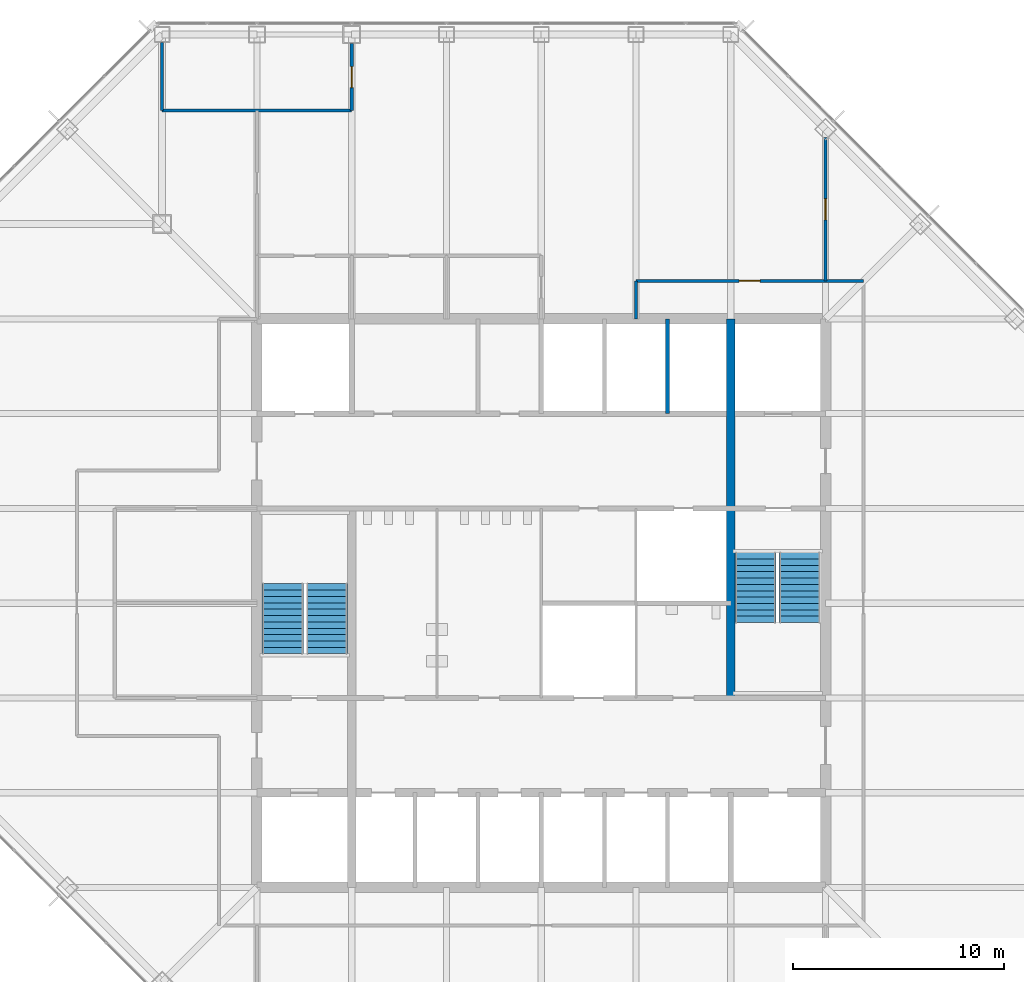
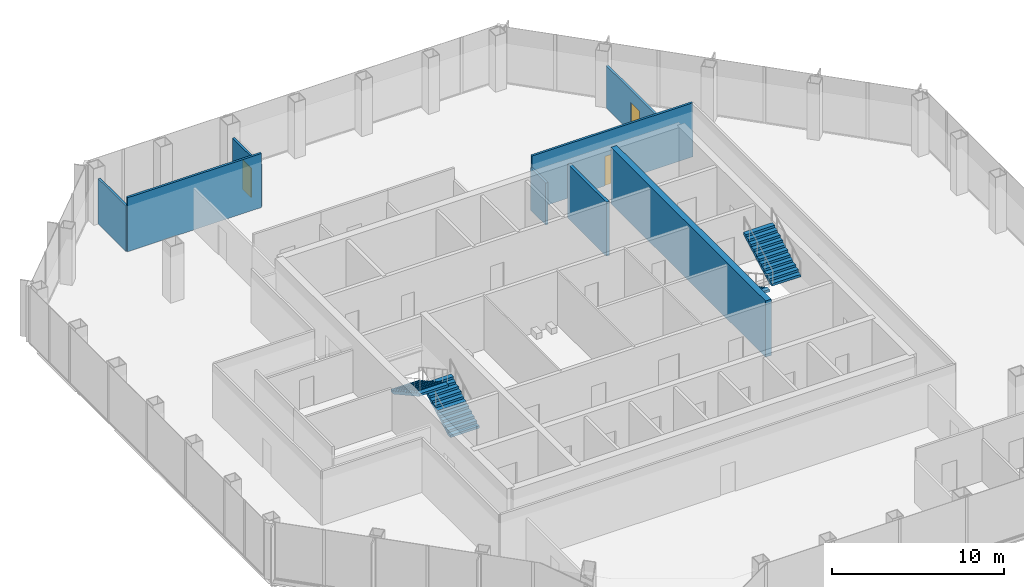
# One storey, part 10 of 12: 8 walls, 4 stair flights, 3 doors, 3 openings, 2 elements without a shape of their own.
"""IFC4 building model written with IfcOpenShell, lengths in metres."""

from ifc_helpers import new_model, si_unit, direction, frame, frame_2d, origin, place, context, subcontext, project, spatial, polyline, rectangle, outline, extrude, material, layer, layer_set, type_object, element, fill, aggregate, save


model = new_model("IFC4")

# Units and contexts
model_context = context("Model", 3, precision=1e-05, world=origin(), true_north=direction((0.0, 1.0)))
body_context = subcontext(model_context, "Body", "Model", "MODEL_VIEW")
ifc_project = project(units=[si_unit("LENGTHUNIT", "METRE"), si_unit("AREAUNIT", "SQUARE_METRE"), si_unit("VOLUMEUNIT", "CUBIC_METRE"), si_unit("PLANEANGLEUNIT", "RADIAN"), si_unit("MASSUNIT", "GRAM", prefix="KILO")], contexts=[model_context])

# Site, building, storey
site_placement = place(None, origin())
site = spatial("IfcSite", under=ifc_project, at=site_placement, CompositionType="ELEMENT")
building_placement = place(site_placement, origin())
building = spatial("IfcBuilding", under=site, at=building_placement, Name="Corais Broadcast Tower", CompositionType="ELEMENT")
storey_placement = place(building_placement, frame((0.0, 0.0, 131.60009765625)))
storey = spatial("IfcBuildingStorey", under=building, at=storey_placement, Name="L29", CompositionType="ELEMENT", Elevation=131.60009765625)

# Wall
ifc_material_1 = material(Name="Concrete C50/60", Category="concrete")
ifc_layer_1 = layer(ifc_material_1, 0.39990234375)
ifc_layer_set_1 = layer_set([ifc_layer_1], Name="Concrete C50/60")
wall_type_1 = type_object("IfcWallType", Name="Core wall 400", PredefinedType="SHEAR", material=ifc_layer_set_1)
wall_1_placement = place(storey_placement, frame((36.0, 22.5, 0.0), z_axis=(0.0, 0.0, 1.0), x_axis=(0.0, 1.0, 0.0)))
element("IfcWall", 1, at=wall_1_placement, inside=storey, type_object=wall_type_1, Name="CR400 core wall X36B L29", PredefinedType="SHEAR", context=body_context, shape_type="SweptSolid", body=[
    extrude(rectangle(XDim=18.0, YDim=0.39990234375, at=frame_2d((9.0, 0.0))), origin(), (0.0, 0.0, 1.0), 4.0),
])

# Wall, opening, door
ifc_material_2 = material(Name="Gypsum board on steel studs", Category="steel")
ifc_layer_2 = layer(ifc_material_2, 0.14990234375)
ifc_layer_set_2 = layer_set([ifc_layer_2], Name="Gypsum board on steel studs")
wall_type_2 = type_object("IfcWallType", Name="Partition 150", PredefinedType="PARTITIONING", material=ifc_layer_set_2)
wall_2_placement = place(storey_placement, frame((42.300048828125, 42.300048828125, 0.0), z_axis=(0.0, 0.0, 1.0), x_axis=(-1.0, 0.0, 0.0)))
wall_2 = element("IfcWall", 2, at=wall_2_placement, inside=storey, type_object=wall_type_2, Name="IW3 corridor wall L29", PredefinedType="PARTITIONING", context=body_context, shape_type="SweptSolid", body=[
    extrude(rectangle(XDim=10.800048828125, YDim=0.14990234375, at=frame_2d((5.39990234375, 0.0))), origin(), (0.0, 0.0, 1.0), 3.83984375),
])
opening_1_placement = place(wall_2_placement, frame((4.89990234375, 0.0, 0.0)))
opening_1 = element("IfcOpeningElement", 3, at=opening_1_placement, cuts=wall_2, Name="Opening D1", PredefinedType="OPENING", context=body_context, shape_type="SweptSolid", body=[
    extrude(rectangle(XDim=1.0, YDim=2.10009765625, at=frame_2d((0.5, 1.050048828125))), frame((0.0, 0.0849609375, 0.0), z_axis=(0.0, -1.0, 0.0), x_axis=(1.0, 0.0, 0.0)), (0.0, 0.0, 1.0), 0.169921875),
])
ifc_material_3 = material(Name="Timber door", Category="wood")
door_type = type_object("IfcDoorType", Name="Single door 1000x2100", OperationType="SINGLE_SWING_LEFT", PredefinedType="DOOR", material=ifc_material_3)
door_1_placement = place(opening_1_placement, origin())
door_1 = element("IfcDoor", 4, at=door_1_placement, inside=storey, type_object=door_type, Name="D1 workplace door L29", OperationType="SINGLE_SWING_LEFT", OverallHeight=2.10009765625, OverallWidth=1.0, PredefinedType="DOOR", context=body_context, shape_type="SweptSolid", body=[
    extrude(rectangle(XDim=1.0, YDim=2.10009765625, at=frame_2d((0.5, 1.050048828125))), frame((0.0, 0.02490234375, 0.0), z_axis=(0.0, -1.0, 0.0), x_axis=(1.0, 0.0, 0.0)), (0.0, 0.0, 1.0), 0.050048828125),
])
fill(opening_1, door_1)

# Walls
wall_3_placement = place(storey_placement, frame((31.5, 42.300048828125, 0.0), z_axis=(0.0, 0.0, 1.0), x_axis=(0.0, -1.0, 0.0)))
element("IfcWall", 5, at=wall_3_placement, inside=storey, type_object=wall_type_2, Name="IW3 corridor wall L29", PredefinedType="PARTITIONING", context=body_context, shape_type="SweptSolid", body=[
    extrude(rectangle(XDim=1.800048828125, YDim=0.14990234375, at=frame_2d((0.89990234375, 0.0))), origin(), (0.0, 0.0, 1.0), 2.989013671875),
])
wall_4_placement = place(storey_placement, frame((9.0, 50.39990234375, 0.0), z_axis=(0.0, 0.0, 1.0), x_axis=(1.0, 0.0, 0.0)))
element("IfcWall", 6, at=wall_4_placement, inside=storey, type_object=wall_type_2, Name="IW3 partition L29", PredefinedType="PARTITIONING", context=body_context, shape_type="SweptSolid", body=[
    extrude(rectangle(XDim=9.0, YDim=0.14990234375, at=frame_2d((4.5, 0.0))), origin(), (0.0, 0.0, 1.0), 3.83984375),
])

# Wall, opening, door
wall_5_placement = place(storey_placement, frame((18.0, 50.39990234375, 0.0), z_axis=(0.0, 0.0, 1.0), x_axis=(0.0, 1.0, 0.0)))
wall_5 = element("IfcWall", 7, at=wall_5_placement, inside=storey, type_object=wall_type_2, Name="IW3 partition L29", PredefinedType="PARTITIONING", context=body_context, shape_type="SweptSolid", body=[
    extrude(rectangle(XDim=3.1650390625, YDim=0.14990234375, at=frame_2d((1.58251953125, 0.0))), origin(), (0.0, 0.0, 1.0), 2.989013671875),
])
opening_2_placement = place(wall_5_placement, frame((1.08251953125, 0.0, 0.0)))
opening_2 = element("IfcOpeningElement", 8, at=opening_2_placement, cuts=wall_5, Name="Opening D1", PredefinedType="OPENING", context=body_context, shape_type="SweptSolid", body=[
    extrude(rectangle(XDim=1.0, YDim=2.10009765625, at=frame_2d((0.5, 1.050048828125))), frame((0.0, 0.0849609375, 0.0), z_axis=(0.0, -1.0, 0.0), x_axis=(1.0, 0.0, 0.0)), (0.0, 0.0, 1.0), 0.169921875),
])
door_2_placement = place(opening_2_placement, origin())
door_2 = element("IfcDoor", 9, at=door_2_placement, inside=storey, type_object=door_type, Name="D1 Pantry door", OperationType="SINGLE_SWING_LEFT", OverallHeight=2.10009765625, OverallWidth=1.0, PredefinedType="DOOR", context=body_context, shape_type="SweptSolid", body=[
    extrude(rectangle(XDim=1.0, YDim=2.10009765625, at=frame_2d((0.5, 1.050048828125))), frame((0.0, 0.02490234375, 0.0), z_axis=(0.0, -1.0, 0.0), x_axis=(1.0, 0.0, 0.0)), (0.0, 0.0, 1.0), 0.050048828125),
])
fill(opening_2, door_2)

# Wall
wall_6_placement = place(storey_placement, frame((9.0, 53.614990234375, 0.0), z_axis=(0.0, 0.0, 1.0), x_axis=(0.0, -1.0, 0.0)))
element("IfcWall", 10, at=wall_6_placement, inside=storey, type_object=wall_type_2, Name="IW3 partition L29", PredefinedType="PARTITIONING", context=body_context, shape_type="SweptSolid", body=[
    extrude(rectangle(XDim=3.215087890625, YDim=0.14990234375, at=frame_2d((1.607421875, 0.0))), origin(), (0.0, 0.0, 1.0), 3.22900390625),
])

# Wall, opening, door
wall_7_placement = place(storey_placement, frame((40.5, 49.10498046875, 0.0), z_axis=(0.0, 0.0, 1.0), x_axis=(0.0, -1.0, 0.0)))
wall_7 = element("IfcWall", 11, at=wall_7_placement, inside=storey, type_object=wall_type_2, Name="IW3 partition L29", PredefinedType="PARTITIONING", context=body_context, shape_type="SweptSolid", body=[
    extrude(rectangle(XDim=6.804931640625, YDim=0.14990234375, at=frame_2d((3.40234375, 0.0))), origin(), (0.0, 0.0, 1.0), 2.989013671875),
])
opening_3_placement = place(wall_7_placement, frame((2.902587890625, 0.0, 0.0)))
opening_3 = element("IfcOpeningElement", 12, at=opening_3_placement, cuts=wall_7, Name="Opening D1", PredefinedType="OPENING", context=body_context, shape_type="SweptSolid", body=[
    extrude(rectangle(XDim=1.0, YDim=2.10009765625, at=frame_2d((0.5, 1.050048828125))), frame((0.0, 0.0849609375, 0.0), z_axis=(0.0, -1.0, 0.0), x_axis=(1.0, 0.0, 0.0)), (0.0, 0.0, 1.0), 0.169921875),
])
door_3_placement = place(opening_3_placement, origin())
door_3 = element("IfcDoor", 13, at=door_3_placement, inside=storey, type_object=door_type, Name="D1 team room door L29", OperationType="SINGLE_SWING_LEFT", OverallHeight=2.10009765625, OverallWidth=1.0, PredefinedType="DOOR", context=body_context, shape_type="SweptSolid", body=[
    extrude(rectangle(XDim=1.0, YDim=2.10009765625, at=frame_2d((0.5, 1.050048828125))), frame((0.0, 0.02490234375, 0.0), z_axis=(0.0, -1.0, 0.0), x_axis=(1.0, 0.0, 0.0)), (0.0, 0.0, 1.0), 0.050048828125),
])
fill(opening_3, door_3)

# Wall
ifc_material_4 = material(Name="Concrete blockwork class A, grouted, two-hour", Category="masonry")
ifc_layer_3 = layer(ifc_material_4, 0.199951171875)
ifc_layer_set_3 = layer_set([ifc_layer_3], Name="Concrete blockwork class A, grouted, two-hour")
wall_type_3 = type_object("IfcWallType", Name="Shaft wall 200", PredefinedType="PARTITIONING", material=ifc_layer_set_3)
wall_8_placement = place(storey_placement, frame((33.0, 36.0, 0.0), z_axis=(0.0, 0.0, 1.0), x_axis=(0.0, 1.0, 0.0)))
element("IfcWall", 14, at=wall_8_placement, inside=storey, type_object=wall_type_3, Name="IW1 shaft wall L29", PredefinedType="PARTITIONING", context=body_context, shape_type="SweptSolid", body=[
    extrude(rectangle(XDim=4.5, YDim=0.199951171875, at=frame_2d((2.25, 0.0))), origin(), (0.0, 0.0, 1.0), 3.83984375),
])

# Stair, stair flights
ifc_material_5 = material(Name="Concrete C30/37", Category="concrete")
stair_type = type_object("IfcStairType", Name="Half-turn stair 4000", PredefinedType="HALF_TURN_STAIR", material=ifc_material_5)
stair_1_placement = place(storey_placement, origin())
stair_1 = element("IfcStair", 15, at=stair_1_placement, inside=storey, type_object=stair_type, Name="Stair A L29", PredefinedType="HALF_TURN_STAIR")
ifc_material_6 = material(Name="Concrete C30/37", Category="concrete")
stair_flight_type = type_object("IfcStairFlightType", Name="Stair flight 4000", PredefinedType="STRAIGHT", material=ifc_material_6)
stair_flight_1_placement = place(storey_placement, frame((16.824951171875, 24.60009765625, 0.0), z_axis=(0.0, 0.0, 1.0), x_axis=(0.0, 1.0, 0.0)))
stair_flight_1 = element("IfcStairFlight", 16, at=stair_flight_1_placement, type_object=stair_flight_type, Name="STA flight 1", NumberOfRisers=12, NumberOfTreads=11, PredefinedType="STRAIGHT", RiserHeight=0.166666667, TreadLength=0.302, context=body_context, shape_type="SweptSolid", body=[
    extrude(outline(polyline([(0.0, 0.0), (0.0, 0.166748046875), (0.302001953125, 0.166748046875), (0.302001953125, 0.333251953125), (0.60400390625, 0.333251953125), (0.60400390625, 0.5), (0.906005859375, 0.5), (0.906005859375, 0.666748046875), (1.2080078125, 0.666748046875), (1.2080078125, 0.833251953125), (1.510009765625, 0.833251953125), (1.510009765625, 1.0), (1.81201171875, 1.0), (1.81201171875, 1.166748046875), (2.114013671875, 1.166748046875), (2.114013671875, 1.333251953125), (2.416015625, 1.333251953125), (2.416015625, 1.5), (2.718017578125, 1.5), (2.718017578125, 1.666748046875), (3.02001953125, 1.666748046875), (3.02001953125, 1.833251953125), (3.322021484375, 1.833251953125), (3.322021484375, 2.0), (3.322021484375, 1.662109375), (0.310302734375, 0.0), (0.0, 0.0)])), frame((0.0, 0.97509765625, 0.0), z_axis=(0.0, -1.0, 0.0), x_axis=(1.0, 0.0, 0.0)), (0.0, 0.0, 1.0), 1.949951171875),
])
stair_flight_2_placement = place(storey_placement, frame((14.72509765625, 27.922119140625, 2.0), z_axis=(0.0, 0.0, 1.0), x_axis=(0.0, -1.0, 0.0)))
stair_flight_2 = element("IfcStairFlight", 17, at=stair_flight_2_placement, type_object=stair_flight_type, Name="STA flight 2", NumberOfRisers=12, NumberOfTreads=11, PredefinedType="STRAIGHT", RiserHeight=0.166666667, TreadLength=0.302, context=body_context, shape_type="SweptSolid", body=[
    extrude(outline(polyline([(0.0, 0.0), (0.0, 0.166748046875), (0.302001953125, 0.166748046875), (0.302001953125, 0.333251953125), (0.60400390625, 0.333251953125), (0.60400390625, 0.5), (0.906005859375, 0.5), (0.906005859375, 0.666748046875), (1.2080078125, 0.666748046875), (1.2080078125, 0.833251953125), (1.510009765625, 0.833251953125), (1.510009765625, 1.0), (1.81201171875, 1.0), (1.81201171875, 1.166748046875), (2.114013671875, 1.166748046875), (2.114013671875, 1.333251953125), (2.416015625, 1.333251953125), (2.416015625, 1.5), (2.718017578125, 1.5), (2.718017578125, 1.666748046875), (3.02001953125, 1.666748046875), (3.02001953125, 1.833251953125), (3.322021484375, 1.833251953125), (3.322021484375, 2.0), (3.322021484375, 1.662109375), (0.310302734375, 0.0), (0.0, 0.0)])), frame((0.0, 0.97509765625, 0.0), z_axis=(0.0, -1.0, 0.0), x_axis=(1.0, 0.0, 0.0)), (0.0, 0.0, 1.0), 1.949951171875),
])
aggregate(stair_1, [stair_flight_1, stair_flight_2])

stair_2_placement = place(storey_placement, origin())
stair_2 = element("IfcStair", 18, at=stair_2_placement, inside=storey, type_object=stair_type, Name="Stair B L29", PredefinedType="HALF_TURN_STAIR")
stair_flight_3_placement = place(storey_placement, frame((37.175048828125, 29.39990234375, 0.0), z_axis=(0.0, 0.0, 1.0), x_axis=(0.0, -1.0, 0.0)))
stair_flight_3 = element("IfcStairFlight", 19, at=stair_flight_3_placement, type_object=stair_flight_type, Name="STB flight 1", NumberOfRisers=12, NumberOfTreads=11, PredefinedType="STRAIGHT", RiserHeight=0.166666667, TreadLength=0.302, context=body_context, shape_type="SweptSolid", body=[
    extrude(outline(polyline([(0.0, 0.0), (0.0, 0.166748046875), (0.302001953125, 0.166748046875), (0.302001953125, 0.333251953125), (0.60400390625, 0.333251953125), (0.60400390625, 0.5), (0.906005859375, 0.5), (0.906005859375, 0.666748046875), (1.2080078125, 0.666748046875), (1.2080078125, 0.833251953125), (1.510009765625, 0.833251953125), (1.510009765625, 1.0), (1.81201171875, 1.0), (1.81201171875, 1.166748046875), (2.114013671875, 1.166748046875), (2.114013671875, 1.333251953125), (2.416015625, 1.333251953125), (2.416015625, 1.5), (2.718017578125, 1.5), (2.718017578125, 1.666748046875), (3.02001953125, 1.666748046875), (3.02001953125, 1.833251953125), (3.322021484375, 1.833251953125), (3.322021484375, 2.0), (3.322021484375, 1.662109375), (0.310302734375, 0.0), (0.0, 0.0)])), frame((0.0, 0.97509765625, 0.0), z_axis=(0.0, -1.0, 0.0), x_axis=(1.0, 0.0, 0.0)), (0.0, 0.0, 1.0), 1.949951171875),
])
stair_flight_4_placement = place(storey_placement, frame((39.27490234375, 26.077880859375, 2.0), z_axis=(0.0, 0.0, 1.0), x_axis=(0.0, 1.0, 0.0)))
stair_flight_4 = element("IfcStairFlight", 20, at=stair_flight_4_placement, type_object=stair_flight_type, Name="STB flight 2", NumberOfRisers=12, NumberOfTreads=11, PredefinedType="STRAIGHT", RiserHeight=0.166666667, TreadLength=0.302, context=body_context, shape_type="SweptSolid", body=[
    extrude(outline(polyline([(0.0, 0.0), (0.0, 0.166748046875), (0.302001953125, 0.166748046875), (0.302001953125, 0.333251953125), (0.60400390625, 0.333251953125), (0.60400390625, 0.5), (0.906005859375, 0.5), (0.906005859375, 0.666748046875), (1.2080078125, 0.666748046875), (1.2080078125, 0.833251953125), (1.510009765625, 0.833251953125), (1.510009765625, 1.0), (1.81201171875, 1.0), (1.81201171875, 1.166748046875), (2.114013671875, 1.166748046875), (2.114013671875, 1.333251953125), (2.416015625, 1.333251953125), (2.416015625, 1.5), (2.718017578125, 1.5), (2.718017578125, 1.666748046875), (3.02001953125, 1.666748046875), (3.02001953125, 1.833251953125), (3.322021484375, 1.833251953125), (3.322021484375, 2.0), (3.322021484375, 1.662109375), (0.310302734375, 0.0), (0.0, 0.0)])), frame((0.0, 0.97509765625, 0.0), z_axis=(0.0, -1.0, 0.0), x_axis=(1.0, 0.0, 0.0)), (0.0, 0.0, 1.0), 1.949951171875),
])
aggregate(stair_2, [stair_flight_3, stair_flight_4])

save(model, "model.ifc")
